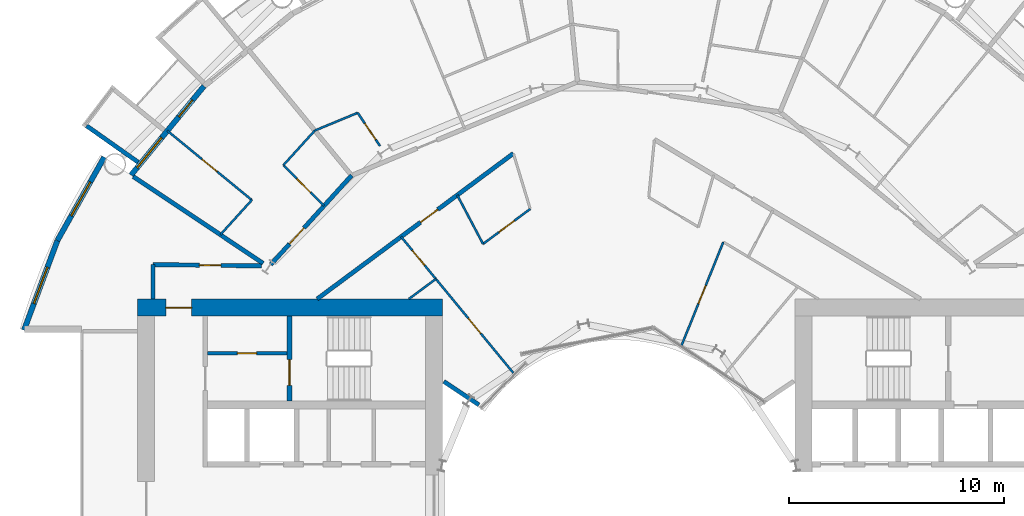
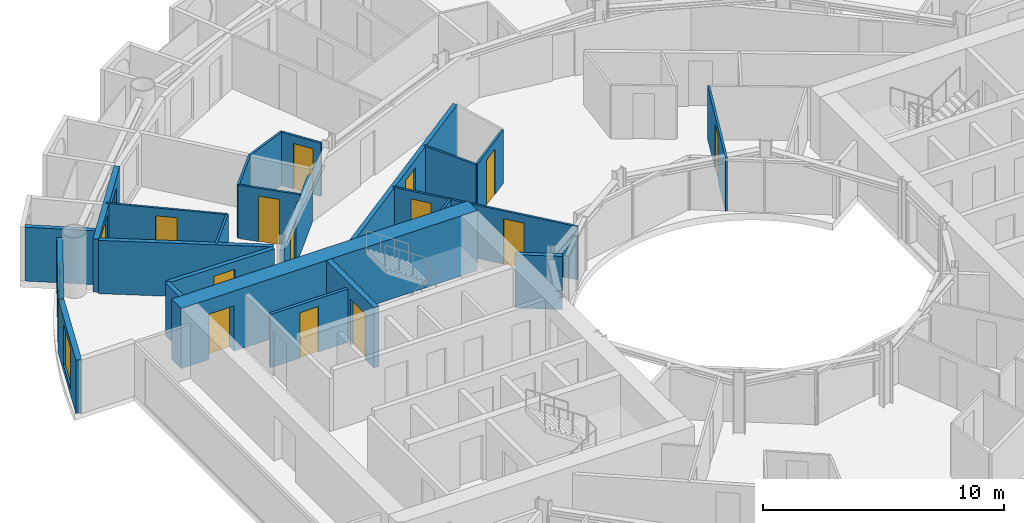
# One storey, part 18 of 26: 24 walls, 14 doors, 3 windows, 17 openings.
"""IFC4 building model written with IfcOpenShell, lengths in metres."""

from ifc_helpers import new_model, si_unit, direction, frame, frame_2d, origin, place, context, subcontext, project, spatial, rectangle, extrude, material, layer, layer_set, type_object, element, fill, save


model = new_model("IFC4")

# Units and contexts
model_context = context("Model", 3, precision=1e-05, world=origin(), true_north=direction((0.0, 1.0)))
body_context = subcontext(model_context, "Body", "Model", "MODEL_VIEW")
ifc_project = project(units=[si_unit("LENGTHUNIT", "METRE"), si_unit("AREAUNIT", "SQUARE_METRE"), si_unit("VOLUMEUNIT", "CUBIC_METRE"), si_unit("PLANEANGLEUNIT", "RADIAN"), si_unit("MASSUNIT", "GRAM", prefix="KILO")], contexts=[model_context])

# Site, building, storey
site_placement = place(None, origin())
site = spatial("IfcSite", under=ifc_project, at=site_placement, CompositionType="ELEMENT")
building_placement = place(site_placement, origin())
building = spatial("IfcBuilding", under=site, at=building_placement, Name="Maasbend Ring Residences", CompositionType="ELEMENT")
storey_placement = place(building_placement, frame((0.0, 0.0, 50.25)))
storey = spatial("IfcBuildingStorey", under=building, at=storey_placement, Name="L14", CompositionType="ELEMENT", Elevation=50.25)

# Wall, opening, door
ifc_material_1 = material(Name="Concrete C70/85", Category="concrete")
ifc_layer_1 = layer(ifc_material_1, 0.25)
ifc_layer_set_1 = layer_set([ifc_layer_1], Name="Concrete C70/85")
wall_type_1 = type_object("IfcWallType", Name="CORE WALL 250 C70/85", PredefinedType="SHEAR", material=ifc_layer_set_1)
wall_1_placement = place(storey_placement, frame((-15.324951171875, 8.60009765625, 0.0), z_axis=(0.0, 0.0, 1.0), x_axis=(0.0, -1.0, 0.0)))
wall_1 = element("IfcWall", 1, at=wall_1_placement, inside=storey, type_object=wall_type_1, Name="L14 core W wall STES", PredefinedType="SHEAR", context=body_context, shape_type="SweptSolid", body=[
    extrude(rectangle(XDim=3.9501953125, YDim=0.25, at=frame_2d((1.97509765625, 0.0))), origin(), (0.0, 0.0, 1.0), 3.050048828125),
])
opening_1_placement = place(wall_1_placement, frame((2.02490234375, 0.0, 0.0)))
opening_1 = element("IfcOpeningElement", 2, at=opening_1_placement, cuts=wall_1, Name="Opening D-W1411", PredefinedType="OPENING", context=body_context, shape_type="SweptSolid", body=[
    extrude(rectangle(XDim=1.199951171875, YDim=2.300048828125, at=frame_2d((0.60009765625, 1.14990234375))), frame((0.0, 0.135009765625, 0.0), z_axis=(0.0, -1.0, 0.0), x_axis=(1.0, 0.0, 0.0)), (0.0, 0.0, 1.0), 0.27001953125),
])
ifc_material_2 = material(Name="Steel, powder coated", Category="steel")
door_type_1 = type_object("IfcDoorType", Name="STAIR DOOR 1200 X 2300 FD60", OperationType="NOTDEFINED", PredefinedType="DOOR", material=ifc_material_2)
door_1_placement = place(opening_1_placement, origin())
door_1 = element("IfcDoor", 3, at=door_1_placement, inside=storey, type_object=door_type_1, Name="Stair door ST-W L14", OperationType="SINGLE_SWING_LEFT", OverallHeight=2.300048828125, OverallWidth=1.199951171875, PredefinedType="DOOR", context=body_context, shape_type="SweptSolid", body=[
    extrude(rectangle(XDim=1.199951171875, YDim=2.300048828125, at=frame_2d((0.60009765625, 1.14990234375))), frame((0.0, 0.02490234375, 0.0), z_axis=(0.0, -1.0, 0.0), x_axis=(1.0, 0.0, 0.0)), (0.0, 0.0, 1.0), 0.050048828125),
])
fill(opening_1, door_1)

ifc_material_3 = material(Name="Concrete C70/85", Category="concrete")
ifc_layer_2 = layer(ifc_material_3, 0.800048828125)
ifc_layer_set_2 = layer_set([ifc_layer_2], Name="Concrete C70/85")
wall_type_2 = type_object("IfcWallType", Name="CORE WALL 800 C70/85", PredefinedType="SHEAR", material=ifc_layer_set_2)
wall_2_placement = place(storey_placement, frame((-8.199951171875, 9.0, 0.0), z_axis=(0.0, 0.0, 1.0), x_axis=(-1.0, 0.0, 0.0)))
wall_2 = element("IfcWall", 4, at=wall_2_placement, inside=storey, type_object=wall_type_2, Name="L14 core W wall PS", PredefinedType="SHEAR", context=body_context, shape_type="SweptSolid", body=[
    extrude(rectangle(XDim=14.199951171875, YDim=0.800048828125, at=frame_2d((7.10009765625, 0.0))), origin(), (0.0, 0.0, 1.0), 3.050048828125),
])
opening_2_placement = place(wall_2_placement, frame((11.675048828125, 0.0, 0.0)))
opening_2 = element("IfcOpeningElement", 5, at=opening_2_placement, cuts=wall_2, Name="Opening D-W1415", PredefinedType="OPENING", context=body_context, shape_type="SweptSolid", body=[
    extrude(rectangle(XDim=1.199951171875, YDim=2.300048828125, at=frame_2d((0.60009765625, 1.14990234375))), frame((0.0, 0.41015625, 0.0), z_axis=(0.0, -1.0, 0.0), x_axis=(1.0, 0.0, 0.0)), (0.0, 0.0, 1.0), 0.820068359375),
])
ifc_material_4 = material(Name="Steel, powder coated", Category="steel")
door_type_2 = type_object("IfcDoorType", Name="CORRIDOR DOOR 1200 X 2300 FD30S", OperationType="NOTDEFINED", PredefinedType="DOOR", material=ifc_material_4)
door_2_placement = place(opening_2_placement, origin())
door_2 = element("IfcDoor", 6, at=door_2_placement, inside=storey, type_object=door_type_2, Name="Corridor door L14", OperationType="SINGLE_SWING_LEFT", OverallHeight=2.300048828125, OverallWidth=1.199951171875, PredefinedType="DOOR", context=body_context, shape_type="SweptSolid", body=[
    extrude(rectangle(XDim=1.199951171875, YDim=2.300048828125, at=frame_2d((0.60009765625, 1.14990234375))), frame((0.0, 0.02490234375, 0.0), z_axis=(0.0, -1.0, 0.0), x_axis=(1.0, 0.0, 0.0)), (0.0, 0.0, 1.0), 0.050048828125),
])
fill(opening_2, door_2)

ifc_material_5 = material(Name="Concrete C30/37", Category="concrete")
ifc_layer_3 = layer(ifc_material_5, 0.199951171875)
ifc_layer_set_3 = layer_set([ifc_layer_3], Name="Concrete C30/37")
wall_type_3 = type_object("IfcWallType", Name="CORRIDOR WALL 200 CONCRETE", PredefinedType="PARTITIONING", material=ifc_layer_set_3)
wall_3_placement = place(storey_placement, frame((-21.675048828125, 11.0, 0.0), z_axis=(0.0, 0.0, 1.0), x_axis=(0.99992425795, -0.012307654658, 0.0)))
wall_3 = element("IfcWall", 7, at=wall_3_placement, inside=storey, type_object=wall_type_3, Name="U-L14-w084", PredefinedType="PARTITIONING", context=body_context, shape_type="SweptSolid", body=[
    extrude(rectangle(XDim=5.03857421875, YDim=0.199951171875, at=frame_2d((2.519287109375, 0.0))), origin(), (0.0, 0.0, 1.0), 2.699951171875),
])
opening_3_placement = place(wall_3_placement, frame((2.155029296875, 0.0, 0.0)))
opening_3 = element("IfcOpeningElement", 8, at=opening_3_placement, cuts=wall_3, Name="Opening D-1460", PredefinedType="OPENING", context=body_context, shape_type="SweptSolid", body=[
    extrude(rectangle(XDim=1.0, YDim=2.300048828125, at=frame_2d((0.5, 1.14990234375))), frame((0.0, 0.10986328125, 0.0), z_axis=(0.0, -1.0, 0.0), x_axis=(1.0, 0.0, 0.0)), (0.0, 0.0, 1.0), 0.219970703125),
])
ifc_material_6 = material(Name="Timber, painted", Category="wood")
door_type_3 = type_object("IfcDoorType", Name="ROOM DOOR 1000 X 2300", OperationType="NOTDEFINED", PredefinedType="DOOR", material=ifc_material_6)
door_3_placement = place(opening_3_placement, origin())
door_3 = element("IfcDoor", 9, at=door_3_placement, inside=storey, type_object=door_type_3, Name="D-1460", OperationType="SINGLE_SWING_RIGHT", OverallHeight=2.300048828125, OverallWidth=1.0, PredefinedType="DOOR", context=body_context, shape_type="SweptSolid", body=[
    extrude(rectangle(XDim=1.0, YDim=2.300048828125, at=frame_2d((0.5, 1.14990234375))), frame((0.0, 0.02490234375, 0.0), z_axis=(0.0, -1.0, 0.0), x_axis=(1.0, 0.0, 0.0)), (0.0, 0.0, 1.0), 0.050048828125),
])
fill(opening_3, door_3)

wall_4_placement = place(storey_placement, frame((-14.037109375, 9.39990234375, 0.0), z_axis=(0.0, 0.0, 1.0), x_axis=(0.803202106898, 0.595706618626, 0.0)))
wall_4 = element("IfcWall", 10, at=wall_4_placement, inside=storey, type_object=wall_type_3, Name="U-L14-w091", PredefinedType="PARTITIONING", context=body_context, shape_type="SweptSolid", body=[
    extrude(rectangle(XDim=11.368408203125, YDim=0.199951171875, at=frame_2d((5.68408203125, 0.0))), origin(), (0.0, 0.0, 1.0), 2.699951171875),
])
opening_4_placement = place(wall_4_placement, frame((5.988037109375, 0.0, 0.0)))
opening_4 = element("IfcOpeningElement", 11, at=opening_4_placement, cuts=wall_4, Name="Opening D-1426", PredefinedType="OPENING", context=body_context, shape_type="SweptSolid", body=[
    extrude(rectangle(XDim=1.0, YDim=2.300048828125, at=frame_2d((0.5, 1.14990234375))), frame((0.0, 0.10986328125, 0.0), z_axis=(0.0, -1.0, 0.0), x_axis=(1.0, 0.0, 0.0)), (0.0, 0.0, 1.0), 0.219970703125),
])
ifc_material_7 = material(Name="Timber, fire-rated, painted", Category="wood")
door_type_4 = type_object("IfcDoorType", Name="FLAT ENTRANCE DOOR 1000 X 2300 FIRE-RATED", OperationType="NOTDEFINED", PredefinedType="DOOR", material=ifc_material_7)
door_4_placement = place(opening_4_placement, origin())
door_4 = element("IfcDoor", 12, at=door_4_placement, inside=storey, type_object=door_type_4, Name="D-1426", OperationType="SINGLE_SWING_RIGHT", OverallHeight=2.300048828125, OverallWidth=1.0, PredefinedType="DOOR", context=body_context, shape_type="SweptSolid", body=[
    extrude(rectangle(XDim=1.0, YDim=2.300048828125, at=frame_2d((0.5, 1.14990234375))), frame((0.0, 0.02490234375, 0.0), z_axis=(0.0, -1.0, 0.0), x_axis=(1.0, 0.0, 0.0)), (0.0, 0.0, 1.0), 0.050048828125),
])
fill(opening_4, door_4)

wall_5_placement = place(storey_placement, frame((-16.193115234375, 11.0029296875, 0.0), z_axis=(0.0, 0.0, 1.0), x_axis=(0.671514934772, 0.740991020444, 0.0)))
wall_5 = element("IfcWall", 13, at=wall_5_placement, inside=storey, type_object=wall_type_3, Name="U-L14-w095", PredefinedType="PARTITIONING", context=body_context, shape_type="SweptSolid", body=[
    extrude(rectangle(XDim=5.597900390625, YDim=0.199951171875, at=frame_2d((2.798828125, 0.0))), origin(), (0.0, 0.0, 1.0), 2.3798828125),
])
opening_5_placement = place(wall_5_placement, frame((1.29296875, 0.0, 0.0)))
opening_5 = element("IfcOpeningElement", 14, at=opening_5_placement, cuts=wall_5, Name="Opening D-1418", PredefinedType="OPENING", context=body_context, shape_type="SweptSolid", body=[
    extrude(rectangle(XDim=1.0, YDim=2.300048828125, at=frame_2d((0.5, 1.14990234375))), frame((0.0, 0.10986328125, 0.0), z_axis=(0.0, -1.0, 0.0), x_axis=(1.0, 0.0, 0.0)), (0.0, 0.0, 1.0), 0.219970703125),
])
door_5_placement = place(opening_5_placement, origin())
door_5 = element("IfcDoor", 15, at=door_5_placement, inside=storey, type_object=door_type_4, Name="D-1418", OperationType="SINGLE_SWING_LEFT", OverallHeight=2.300048828125, OverallWidth=1.0, PredefinedType="DOOR", context=body_context, shape_type="SweptSolid", body=[
    extrude(rectangle(XDim=1.0, YDim=2.300048828125, at=frame_2d((0.5, 1.14990234375))), frame((0.0, 0.02490234375, 0.0), z_axis=(0.0, -1.0, 0.0), x_axis=(1.0, 0.0, 0.0)), (0.0, 0.0, 1.0), 0.050048828125),
])
fill(opening_5, door_5)

# Walls
wall_6_placement = place(storey_placement, frame((-21.675048828125, 9.39990234375, 0.0), z_axis=(0.0, 0.0, 1.0), x_axis=(0.0, 1.0, 0.0)))
element("IfcWall", 16, at=wall_6_placement, inside=storey, type_object=wall_type_3, Name="U-L14-w103", PredefinedType="PARTITIONING", context=body_context, shape_type="SweptSolid", body=[
    extrude(rectangle(XDim=1.60009765625, YDim=0.199951171875, at=frame_2d((0.800048828125, 0.0))), origin(), (0.0, 0.0, 1.0), 2.699951171875),
])
ifc_material_8 = material(Name="Pale anodised aluminium panel", Category="aluminium")
ifc_layer_4 = layer(ifc_material_8, 0.199951171875)
ifc_layer_set_4 = layer_set([ifc_layer_4], Name="EW-BOX")
wall_type_4 = type_object("IfcWallType", Name="EW-BOX", PredefinedType="SOLIDWALL", material=ifc_layer_set_4)
wall_7_placement = place(storey_placement, frame((-22.3701171875, 15.764892578125, -0.030029296875), z_axis=(0.0, 0.0, 1.0), x_axis=(-0.817256123454, 0.576274612209, 0.0)))
element("IfcWall", 17, at=wall_7_placement, inside=storey, type_object=wall_type_4, Name="Box side wall N20 right", PredefinedType="SOLIDWALL", context=body_context, shape_type="SweptSolid", body=[
    extrude(rectangle(XDim=2.932861328125, YDim=0.199951171875, at=frame_2d((1.46630859375, 0.0))), origin(), (0.0, 0.0, 1.0), 2.72998046875),
])

# Wall, openings, door, window
ifc_material_9 = material(Name="Aluminium clad insulated panel", Category="aluminium")
ifc_layer_5 = layer(ifc_material_9, 0.25)
ifc_layer_set_5 = layer_set([ifc_layer_5], Name="EW-GL")
wall_type_5 = type_object("IfcWallType", Name="EW-GL", PredefinedType="SOLIDWALL", material=ifc_layer_set_5)
wall_8_placement = place(storey_placement, frame((-19.303955078125, 19.303955078125, 0.0), z_axis=(0.0, 0.0, 1.0), x_axis=(-0.634382322723, -0.773019449054, 0.0)))
wall_8 = element("IfcWall", 18, at=wall_8_placement, inside=storey, type_object=wall_type_5, Name="External wall N10", PredefinedType="SOLIDWALL", context=body_context, shape_type="SweptSolid", body=[
    extrude(rectangle(XDim=5.351806640625, YDim=0.25, at=frame_2d((2.67578125, 0.0))), origin(), (0.0, 0.0, 1.0), 2.699951171875),
])
opening_6_placement = place(wall_8_placement, frame((0.841064453125, 0.0, 0.0)))
opening_6 = element("IfcOpeningElement", 19, at=opening_6_placement, cuts=wall_8, Name="Opening D-LG", PredefinedType="OPENING", context=body_context, shape_type="SweptSolid", body=[
    extrude(rectangle(XDim=1.0, YDim=2.199951171875, at=frame_2d((0.5, 1.10009765625))), frame((0.0, 0.135009765625, 0.0), z_axis=(0.0, -1.0, 0.0), x_axis=(1.0, 0.0, 0.0)), (0.0, 0.0, 1.0), 0.27001953125),
])
opening_7_placement = place(wall_8_placement, frame((3.110595703125, 0.0, 0.300048828125)))
opening_7 = element("IfcOpeningElement", 20, at=opening_7_placement, cuts=wall_8, Name="Opening W-BX", PredefinedType="OPENING", context=body_context, shape_type="SweptSolid", body=[
    extrude(rectangle(XDim=1.800048828125, YDim=2.10009765625, at=frame_2d((0.89990234375, 1.050048828125))), frame((0.0, 0.135009765625, 0.0), z_axis=(0.0, -1.0, 0.0), x_axis=(1.0, 0.0, 0.0)), (0.0, 0.0, 1.0), 0.27001953125),
])
ifc_material_10 = material(Name="Aluminium and clear glass", Category="aluminium")
door_type_5 = type_object("IfcDoorType", Name="D-LG", OperationType="SINGLE_SWING_LEFT", PredefinedType="DOOR", material=ifc_material_10)
door_6_placement = place(opening_6_placement, origin())
door_6 = element("IfcDoor", 21, at=door_6_placement, inside=storey, type_object=door_type_5, Name="Loggia door N19", OperationType="SINGLE_SWING_LEFT", OverallHeight=2.199951171875, OverallWidth=1.0, PredefinedType="DOOR", context=body_context, shape_type="SweptSolid", body=[
    extrude(rectangle(XDim=1.0, YDim=2.199951171875, at=frame_2d((0.5, 1.10009765625))), frame((0.0, 0.02490234375, 0.0), z_axis=(0.0, -1.0, 0.0), x_axis=(1.0, 0.0, 0.0)), (0.0, 0.0, 1.0), 0.050048828125),
])
fill(opening_6, door_6)
ifc_material_11 = material(Name="Aluminium and clear glass", Category="aluminium")
window_type = type_object("IfcWindowType", Name="W-BX", PartitioningType="DOUBLE_PANEL_VERTICAL", PredefinedType="WINDOW", material=ifc_material_11)
window_1_placement = place(opening_7_placement, origin())
window_1 = element("IfcWindow", 22, at=window_1_placement, inside=storey, type_object=window_type, Name="Window N20 room to box", OverallHeight=2.10009765625, OverallWidth=1.800048828125, PartitioningType="SINGLE_PANEL", PredefinedType="WINDOW", context=body_context, shape_type="SweptSolid", body=[
    extrude(rectangle(XDim=1.800048828125, YDim=2.10009765625, at=frame_2d((0.89990234375, 1.050048828125))), frame((0.0, 0.030029296875, 0.0), z_axis=(0.0, -1.0, 0.0), x_axis=(1.0, 0.0, 0.0)), (0.0, 0.0, 1.0), 0.06005859375),
])
fill(opening_7, window_1)

# Wall, opening, window
ifc_material_12 = material(Name="Aluminium clad insulated panel", Category="aluminium")
ifc_layer_6 = layer(ifc_material_12, 0.25)
ifc_layer_set_6 = layer_set([ifc_layer_6], Name="EW-HORN")
wall_type_6 = type_object("IfcWallType", Name="EW-HORN", PredefinedType="SOLIDWALL", material=ifc_layer_set_6)
wall_9_placement = place(storey_placement, frame((-23.946044921875, 16.0, 0.0), z_axis=(0.0, 0.0, 1.0), x_axis=(-0.489696356642, -0.871893042919, 0.0)))
wall_9 = element("IfcWall", 23, at=wall_9_placement, inside=storey, type_object=wall_type_6, Name="Horn wall 4.1", PredefinedType="SOLIDWALL", context=body_context, shape_type="SweptSolid", body=[
    extrude(rectangle(XDim=4.45361328125, YDim=0.25, at=frame_2d((2.226806640625, 0.0))), origin(), (0.0, 0.0, 1.0), 2.699951171875),
])
opening_8_placement = place(wall_9_placement, frame((1.32666015625, 0.0, 0.300048828125)))
opening_8 = element("IfcOpeningElement", 24, at=opening_8_placement, cuts=wall_9, Name="Opening W-BX", PredefinedType="OPENING", context=body_context, shape_type="SweptSolid", body=[
    extrude(rectangle(XDim=1.800048828125, YDim=2.10009765625, at=frame_2d((0.89990234375, 1.050048828125))), frame((0.0, 0.135009765625, 0.0), z_axis=(0.0, -1.0, 0.0), x_axis=(1.0, 0.0, 0.0)), (0.0, 0.0, 1.0), 0.27001953125),
])
window_2_placement = place(opening_8_placement, origin())
window_2 = element("IfcWindow", 25, at=window_2_placement, inside=storey, type_object=window_type, Name="Horn window 4.1", OverallHeight=2.10009765625, OverallWidth=1.800048828125, PartitioningType="SINGLE_PANEL", PredefinedType="WINDOW", context=body_context, shape_type="SweptSolid", body=[
    extrude(rectangle(XDim=1.800048828125, YDim=2.10009765625, at=frame_2d((0.89990234375, 1.050048828125))), frame((0.0, 0.030029296875, 0.0), z_axis=(0.0, -1.0, 0.0), x_axis=(1.0, 0.0, 0.0)), (0.0, 0.0, 1.0), 0.06005859375),
])
fill(opening_8, window_2)

wall_10_placement = place(storey_placement, frame((-26.126953125, 12.116943359375, 0.0), z_axis=(0.0, 0.0, 1.0), x_axis=(-0.349247811493, -0.937030397675, 0.0)))
wall_10 = element("IfcWall", 26, at=wall_10_placement, inside=storey, type_object=wall_type_6, Name="Horn wall 4.2", PredefinedType="SOLIDWALL", context=body_context, shape_type="SweptSolid", body=[
    extrude(rectangle(XDim=4.4521484375, YDim=0.25, at=frame_2d((2.22607421875, 0.0))), origin(), (0.0, 0.0, 1.0), 2.699951171875),
])
opening_9_placement = place(wall_10_placement, frame((1.32666015625, 0.0, 0.300048828125)))
opening_9 = element("IfcOpeningElement", 27, at=opening_9_placement, cuts=wall_10, Name="Opening W-BX", PredefinedType="OPENING", context=body_context, shape_type="SweptSolid", body=[
    extrude(rectangle(XDim=1.800048828125, YDim=2.10009765625, at=frame_2d((0.89990234375, 1.050048828125))), frame((0.0, 0.135009765625, 0.0), z_axis=(0.0, -1.0, 0.0), x_axis=(1.0, 0.0, 0.0)), (0.0, 0.0, 1.0), 0.27001953125),
])
window_3_placement = place(opening_9_placement, origin())
window_3 = element("IfcWindow", 28, at=window_3_placement, inside=storey, type_object=window_type, Name="Horn window 4.2", OverallHeight=2.10009765625, OverallWidth=1.800048828125, PartitioningType="SINGLE_PANEL", PredefinedType="WINDOW", context=body_context, shape_type="SweptSolid", body=[
    extrude(rectangle(XDim=1.800048828125, YDim=2.10009765625, at=frame_2d((0.89990234375, 1.050048828125))), frame((0.0, 0.030029296875, 0.0), z_axis=(0.0, -1.0, 0.0), x_axis=(1.0, 0.0, 0.0)), (0.0, 0.0, 1.0), 0.06005859375),
])
fill(opening_9, window_3)

# Wall, opening, door
ifc_material_13 = material(Name="Gypsum board on steel studs", Category="steel")
ifc_layer_7 = layer(ifc_material_13, 0.10009765625)
ifc_layer_set_7 = layer_set([ifc_layer_7], Name="PARTITION 100 GYPSUM")
wall_type_7 = type_object("IfcWallType", Name="PARTITION 100 GYPSUM", PredefinedType="PARTITIONING", material=ifc_layer_set_7)
wall_11_placement = place(storey_placement, frame((-21.013916015625, 17.23095703125, 0.0), z_axis=(0.0, 0.0, 1.0), x_axis=(0.773219330916, -0.634138680651, 0.0)))
wall_11 = element("IfcWall", 29, at=wall_11_placement, inside=storey, type_object=wall_type_7, Name="U-L14-w034", PredefinedType="PARTITIONING", context=body_context, shape_type="SweptSolid", body=[
    extrude(rectangle(XDim=5.0888671875, YDim=0.10009765625, at=frame_2d((2.54443359375, 0.0))), origin(), (0.0, 0.0, 1.0), 2.699951171875),
])
opening_10_placement = place(wall_11_placement, frame((2.094970703125, 0.0, 0.0)))
opening_10 = element("IfcOpeningElement", 30, at=opening_10_placement, cuts=wall_11, Name="Opening D-1420", PredefinedType="OPENING", context=body_context, shape_type="SweptSolid", body=[
    extrude(rectangle(XDim=0.89990234375, YDim=2.300048828125, at=frame_2d((0.449951171875, 1.14990234375))), frame((0.0, 0.06005859375, 0.0), z_axis=(0.0, -1.0, 0.0), x_axis=(1.0, 0.0, 0.0)), (0.0, 0.0, 1.0), 0.1201171875),
])
ifc_material_14 = material(Name="Timber, painted", Category="wood")
door_type_6 = type_object("IfcDoorType", Name="INTERNAL DOOR 900 X 2300", OperationType="NOTDEFINED", PredefinedType="DOOR", material=ifc_material_14)
door_7_placement = place(opening_10_placement, origin())
door_7 = element("IfcDoor", 31, at=door_7_placement, inside=storey, type_object=door_type_6, Name="D-1420", OperationType="SINGLE_SWING_RIGHT", OverallHeight=2.300048828125, OverallWidth=0.89990234375, PredefinedType="DOOR", context=body_context, shape_type="SweptSolid", body=[
    extrude(rectangle(XDim=0.89990234375, YDim=2.300048828125, at=frame_2d((0.449951171875, 1.14990234375))), frame((0.0, 0.02490234375, 0.0), z_axis=(0.0, -1.0, 0.0), x_axis=(1.0, 0.0, 0.0)), (0.0, 0.0, 1.0), 0.050048828125),
])
fill(opening_10, door_7)

wall_12_placement = place(storey_placement, frame((-15.612060546875, 15.6220703125, 0.0), z_axis=(0.0, 0.0, 1.0), x_axis=(0.706741540154, -0.707471833659, 0.0)))
wall_12 = element("IfcWall", 32, at=wall_12_placement, inside=storey, type_object=wall_type_7, Name="U-L14-w039", PredefinedType="PARTITIONING", context=body_context, shape_type="SweptSolid", body=[
    extrude(rectangle(XDim=2.67431640625, YDim=0.10009765625, at=frame_2d((1.337158203125, 0.0))), origin(), (0.0, 0.0, 1.0), 2.699951171875),
])
opening_11_placement = place(wall_12_placement, frame((0.886962890625, 0.0, 0.0)))
opening_11 = element("IfcOpeningElement", 33, at=opening_11_placement, cuts=wall_12, Name="Opening D-1419", PredefinedType="OPENING", context=body_context, shape_type="SweptSolid", body=[
    extrude(rectangle(XDim=0.89990234375, YDim=2.300048828125, at=frame_2d((0.449951171875, 1.14990234375))), frame((0.0, 0.06005859375, 0.0), z_axis=(0.0, -1.0, 0.0), x_axis=(1.0, 0.0, 0.0)), (0.0, 0.0, 1.0), 0.1201171875),
])
door_8_placement = place(opening_11_placement, origin())
door_8 = element("IfcDoor", 34, at=door_8_placement, inside=storey, type_object=door_type_6, Name="D-1419", OperationType="SINGLE_SWING_RIGHT", OverallHeight=2.300048828125, OverallWidth=0.89990234375, PredefinedType="DOOR", context=body_context, shape_type="SweptSolid", body=[
    extrude(rectangle(XDim=0.89990234375, YDim=2.300048828125, at=frame_2d((0.449951171875, 1.14990234375))), frame((0.0, 0.02490234375, 0.0), z_axis=(0.0, -1.0, 0.0), x_axis=(1.0, 0.0, 0.0)), (0.0, 0.0, 1.0), 0.050048828125),
])
fill(opening_11, door_8)

wall_13_placement = place(storey_placement, frame((-12.153076171875, 18.06396484375, 0.0), z_axis=(0.0, 0.0, 1.0), x_axis=(0.558084773293, -0.829783939239, 0.0)))
wall_13 = element("IfcWall", 35, at=wall_13_placement, inside=storey, type_object=wall_type_7, Name="U-L14-w041", PredefinedType="PARTITIONING", context=body_context, shape_type="SweptSolid", body=[
    extrude(rectangle(XDim=1.86181640625, YDim=0.10009765625, at=frame_2d((0.930908203125, 0.0))), origin(), (0.0, 0.0, 1.0), 2.699951171875),
])
opening_12_placement = place(wall_13_placement, frame((0.60009765625, 0.0, 0.0)))
opening_12 = element("IfcOpeningElement", 36, at=opening_12_placement, cuts=wall_13, Name="Opening D-1413", PredefinedType="OPENING", context=body_context, shape_type="SweptSolid", body=[
    extrude(rectangle(XDim=0.89990234375, YDim=2.300048828125, at=frame_2d((0.449951171875, 1.14990234375))), frame((0.0, 0.06005859375, 0.0), z_axis=(0.0, -1.0, 0.0), x_axis=(1.0, 0.0, 0.0)), (0.0, 0.0, 1.0), 0.1201171875),
])
door_9_placement = place(opening_12_placement, origin())
door_9 = element("IfcDoor", 37, at=door_9_placement, inside=storey, type_object=door_type_6, Name="D-1413", OperationType="SINGLE_SWING_RIGHT", OverallHeight=2.300048828125, OverallWidth=0.89990234375, PredefinedType="DOOR", context=body_context, shape_type="SweptSolid", body=[
    extrude(rectangle(XDim=0.89990234375, YDim=2.300048828125, at=frame_2d((0.449951171875, 1.14990234375))), frame((0.0, 0.02490234375, 0.0), z_axis=(0.0, -1.0, 0.0), x_axis=(1.0, 0.0, 0.0)), (0.0, 0.0, 1.0), 0.050048828125),
])
fill(opening_12, door_9)

# Wall, openings, doors
wall_14_placement = place(storey_placement, frame((-10.132080078125, 12.2958984375, 0.0), z_axis=(0.0, 0.0, 1.0), x_axis=(0.635976043025, -0.771708800454, 0.0)))
wall_14 = element("IfcWall", 38, at=wall_14_placement, inside=storey, type_object=wall_type_7, Name="U-L14-w044", PredefinedType="PARTITIONING", context=body_context, shape_type="SweptSolid", body=[
    extrude(rectangle(XDim=8.212890625, YDim=0.10009765625, at=frame_2d((4.1064453125, 0.0))), origin(), (0.0, 0.0, 1.0), 2.699951171875),
])
opening_13_placement = place(wall_14_placement, frame((0.822998046875, 0.0, 0.0)))
opening_13 = element("IfcOpeningElement", 39, at=opening_13_placement, cuts=wall_14, Name="Opening D-1428", PredefinedType="OPENING", context=body_context, shape_type="SweptSolid", body=[
    extrude(rectangle(XDim=0.89990234375, YDim=2.300048828125, at=frame_2d((0.449951171875, 1.14990234375))), frame((0.0, 0.06005859375, 0.0), z_axis=(0.0, -1.0, 0.0), x_axis=(1.0, 0.0, 0.0)), (0.0, 0.0, 1.0), 0.1201171875),
])
opening_14_placement = place(wall_14_placement, frame((4.928955078125, 0.0, 0.0)))
opening_14 = element("IfcOpeningElement", 40, at=opening_14_placement, cuts=wall_14, Name="Opening D-1429", PredefinedType="OPENING", context=body_context, shape_type="SweptSolid", body=[
    extrude(rectangle(XDim=0.89990234375, YDim=2.300048828125, at=frame_2d((0.449951171875, 1.14990234375))), frame((0.0, 0.06005859375, 0.0), z_axis=(0.0, -1.0, 0.0), x_axis=(1.0, 0.0, 0.0)), (0.0, 0.0, 1.0), 0.1201171875),
])
door_10_placement = place(opening_13_placement, origin())
door_10 = element("IfcDoor", 41, at=door_10_placement, inside=storey, type_object=door_type_6, Name="D-1428", OperationType="SINGLE_SWING_LEFT", OverallHeight=2.300048828125, OverallWidth=0.89990234375, PredefinedType="DOOR", context=body_context, shape_type="SweptSolid", body=[
    extrude(rectangle(XDim=0.89990234375, YDim=2.300048828125, at=frame_2d((0.449951171875, 1.14990234375))), frame((0.0, 0.02490234375, 0.0), z_axis=(0.0, -1.0, 0.0), x_axis=(1.0, 0.0, 0.0)), (0.0, 0.0, 1.0), 0.050048828125),
])
fill(opening_13, door_10)
door_11_placement = place(opening_14_placement, origin())
door_11 = element("IfcDoor", 42, at=door_11_placement, inside=storey, type_object=door_type_6, Name="D-1429", OperationType="SINGLE_SWING_RIGHT", OverallHeight=2.300048828125, OverallWidth=0.89990234375, PredefinedType="DOOR", context=body_context, shape_type="SweptSolid", body=[
    extrude(rectangle(XDim=0.89990234375, YDim=2.300048828125, at=frame_2d((0.449951171875, 1.14990234375))), frame((0.0, 0.02490234375, 0.0), z_axis=(0.0, -1.0, 0.0), x_axis=(1.0, 0.0, 0.0)), (0.0, 0.0, 1.0), 0.050048828125),
])
fill(opening_14, door_11)

# Wall
wall_15_placement = place(storey_placement, frame((-7.51904296875, 14.23388671875, 0.0), z_axis=(0.0, 0.0, 1.0), x_axis=(0.467001992543, -0.884256263173, 0.0)))
element("IfcWall", 43, at=wall_15_placement, inside=storey, type_object=wall_type_7, Name="U-L14-w048", PredefinedType="PARTITIONING", context=body_context, shape_type="SweptSolid", body=[
    extrude(rectangle(XDim=2.571533203125, YDim=0.10009765625, at=frame_2d((1.28564453125, 0.0))), origin(), (0.0, 0.0, 1.0), 2.699951171875),
])

# Wall, opening, door
wall_16_placement = place(storey_placement, frame((2.888916015625, 7.158935546875, 0.0), z_axis=(0.0, 0.0, 1.0), x_axis=(0.374372761824, 0.927278294367, 0.0)))
wall_16 = element("IfcWall", 44, at=wall_16_placement, inside=storey, type_object=wall_type_7, Name="U-L14-w057", PredefinedType="PARTITIONING", context=body_context, shape_type="SweptSolid", body=[
    extrude(rectangle(XDim=5.275634765625, YDim=0.10009765625, at=frame_2d((2.6376953125, 0.0))), origin(), (0.0, 0.0, 1.0), 2.699951171875),
])
opening_15_placement = place(wall_16_placement, frame((2.18798828125, 0.0, 0.0)))
opening_15 = element("IfcOpeningElement", 45, at=opening_15_placement, cuts=wall_16, Name="Opening D-1424", PredefinedType="OPENING", context=body_context, shape_type="SweptSolid", body=[
    extrude(rectangle(XDim=0.89990234375, YDim=2.300048828125, at=frame_2d((0.449951171875, 1.14990234375))), frame((0.0, 0.06005859375, 0.0), z_axis=(0.0, -1.0, 0.0), x_axis=(1.0, 0.0, 0.0)), (0.0, 0.0, 1.0), 0.1201171875),
])
door_12_placement = place(opening_15_placement, origin())
door_12 = element("IfcDoor", 46, at=door_12_placement, inside=storey, type_object=door_type_6, Name="D-1424", OperationType="SINGLE_SWING_RIGHT", OverallHeight=2.300048828125, OverallWidth=0.89990234375, PredefinedType="DOOR", context=body_context, shape_type="SweptSolid", body=[
    extrude(rectangle(XDim=0.89990234375, YDim=2.300048828125, at=frame_2d((0.449951171875, 1.14990234375))), frame((0.0, 0.02490234375, 0.0), z_axis=(0.0, -1.0, 0.0), x_axis=(1.0, 0.0, 0.0)), (0.0, 0.0, 1.0), 0.050048828125),
])
fill(opening_15, door_12)

# Wall
wall_17_placement = place(storey_placement, frame((-9.77197265625, 9.39794921875, 0.0), z_axis=(0.0, 0.0, 1.0), x_axis=(0.803264156882, 0.595622946392, 0.0)))
element("IfcWall", 47, at=wall_17_placement, inside=storey, type_object=wall_type_7, Name="U-L14-w088", PredefinedType="PARTITIONING", context=body_context, shape_type="SweptSolid", body=[
    extrude(rectangle(XDim=1.56494140625, YDim=0.10009765625, at=frame_2d((0.782470703125, 0.0))), origin(), (0.0, 0.0, 1.0), 2.699951171875),
])

# Wall, opening, door
wall_18_placement = place(storey_placement, frame((-6.318115234375, 11.9599609375, 0.0), z_axis=(0.0, 0.0, 1.0), x_axis=(0.803128348509, 0.595806055542, 0.0)))
wall_18 = element("IfcWall", 48, at=wall_18_placement, inside=storey, type_object=wall_type_7, Name="U-L14-w089", PredefinedType="PARTITIONING", context=body_context, shape_type="SweptSolid", body=[
    extrude(rectangle(XDim=2.734375, YDim=0.10009765625, at=frame_2d((1.3671875, 0.0))), origin(), (0.0, 0.0, 1.0), 2.699951171875),
])
opening_16_placement = place(wall_18_placement, frame((0.9169921875, 0.0, 0.0)))
opening_16 = element("IfcOpeningElement", 49, at=opening_16_placement, cuts=wall_18, Name="Opening D-1427", PredefinedType="OPENING", context=body_context, shape_type="SweptSolid", body=[
    extrude(rectangle(XDim=0.89990234375, YDim=2.300048828125, at=frame_2d((0.449951171875, 1.14990234375))), frame((0.0, 0.06005859375, 0.0), z_axis=(0.0, -1.0, 0.0), x_axis=(1.0, 0.0, 0.0)), (0.0, 0.0, 1.0), 0.1201171875),
])
door_13_placement = place(opening_16_placement, origin())
door_13 = element("IfcDoor", 50, at=door_13_placement, inside=storey, type_object=door_type_6, Name="D-1427", OperationType="SINGLE_SWING_RIGHT", OverallHeight=2.300048828125, OverallWidth=0.89990234375, PredefinedType="DOOR", context=body_context, shape_type="SweptSolid", body=[
    extrude(rectangle(XDim=0.89990234375, YDim=2.300048828125, at=frame_2d((0.449951171875, 1.14990234375))), frame((0.0, 0.02490234375, 0.0), z_axis=(0.0, -1.0, 0.0), x_axis=(1.0, 0.0, 0.0)), (0.0, 0.0, 1.0), 0.050048828125),
])
fill(opening_16, door_13)

# Walls
wall_19_placement = place(storey_placement, frame((-14.14892578125, 17.236083984375, 0.0), z_axis=(0.0, 0.0, 1.0), x_axis=(0.923874819588, 0.382694810171, 0.0)))
element("IfcWall", 51, at=wall_19_placement, inside=storey, type_object=wall_type_7, Name="U-L14-w096", PredefinedType="PARTITIONING", context=body_context, shape_type="SweptSolid", body=[
    extrude(rectangle(XDim=2.158203125, YDim=0.10009765625, at=frame_2d((1.0791015625, 0.0))), origin(), (0.0, 0.0, 1.0), 2.699951171875),
])
for number, where, z_axis, x_axis, name in (
    (52, (-18.5380859375, 12.39404296875, 0.0), (0.0, 0.0, 1.0), (0.67169789574, 0.740825172937, 0.0), "U-L14-w104"),
    (53, (-15.613037109375, 15.62109375, 0.0), (0.0, 0.0, 1.0), (0.67169789574, 0.740825172937, 0.0), "U-L14-w105"),
):
    element("IfcWall", number, at=place(storey_placement, frame(where, z_axis=z_axis, x_axis=x_axis)), inside=storey, type_object=wall_type_7, Name=name, PredefinedType="PARTITIONING", context=body_context, shape_type="SweptSolid", body=[
        extrude(rectangle(XDim=2.1826171875, YDim=0.10009765625, at=frame_2d((1.09130859375, 0.0))), origin(), (0.0, 0.0, 1.0), 2.699951171875),
    ])

# Wall, opening, door
ifc_material_15 = material(Name="Gypsum board on steel studs", Category="steel")
ifc_layer_8 = layer(ifc_material_15, 0.14990234375)
ifc_layer_set_8 = layer_set([ifc_layer_8], Name="PARTITION 150 EI 60")
wall_type_8 = type_object("IfcWallType", Name="PARTITION 150 EI 60", PredefinedType="PARTITIONING", material=ifc_layer_set_8)
wall_20_placement = place(storey_placement, frame((-15.449951171875, 6.875, 0.0), z_axis=(0.0, 0.0, 1.0), x_axis=(-1.0, 0.0, 0.0)))
wall_20 = element("IfcWall", 54, at=wall_20_placement, inside=storey, type_object=wall_type_8, Name="L14 core W wall RHS", PredefinedType="PARTITIONING", context=body_context, shape_type="SweptSolid", body=[
    extrude(rectangle(XDim=3.699951171875, YDim=0.14990234375, at=frame_2d((1.85009765625, 0.0))), origin(), (0.0, 0.0, 1.0), 2.699951171875),
])
opening_17_placement = place(wall_20_placement, frame((1.39990234375, 0.0, 0.0)))
opening_17 = element("IfcOpeningElement", 55, at=opening_17_placement, cuts=wall_20, Name="Opening D-W1409", PredefinedType="OPENING", context=body_context, shape_type="SweptSolid", body=[
    extrude(rectangle(XDim=0.89990234375, YDim=2.300048828125, at=frame_2d((0.449951171875, 1.14990234375))), frame((0.0, 0.0849609375, 0.0), z_axis=(0.0, -1.0, 0.0), x_axis=(1.0, 0.0, 0.0)), (0.0, 0.0, 1.0), 0.169921875),
])
ifc_material_16 = material(Name="Steel, powder coated", Category="steel")
door_type_7 = type_object("IfcDoorType", Name="RISER DOOR 900 X 2300 FD60", OperationType="NOTDEFINED", PredefinedType="DOOR", material=ifc_material_16)
door_14_placement = place(opening_17_placement, origin())
door_14 = element("IfcDoor", 56, at=door_14_placement, inside=storey, type_object=door_type_7, Name="Riser door L14", OperationType="SINGLE_SWING_LEFT", OverallHeight=2.300048828125, OverallWidth=0.89990234375, PredefinedType="DOOR", context=body_context, shape_type="SweptSolid", body=[
    extrude(rectangle(XDim=0.89990234375, YDim=2.300048828125, at=frame_2d((0.449951171875, 1.14990234375))), frame((0.0, 0.02490234375, 0.0), z_axis=(0.0, -1.0, 0.0), x_axis=(1.0, 0.0, 0.0)), (0.0, 0.0, 1.0), 0.050048828125),
])
fill(opening_17, door_14)

# Walls
ifc_material_17 = material(Name="Concrete C30/37", Category="concrete")
ifc_layer_9 = layer(ifc_material_17, 0.199951171875)
ifc_layer_set_9 = layer_set([ifc_layer_9], Name="Concrete C30/37")
wall_type_9 = type_object("IfcWallType", Name="PARTY WALL 200 CONCRETE", PredefinedType="PARTITIONING", material=ifc_layer_set_9)
wall_21_placement = place(storey_placement, frame((-22.595947265625, 15.096923828125, 0.0), z_axis=(0.0, 0.0, 1.0), x_axis=(0.831507055747, -0.555514190857, 0.0)))
element("IfcWall", 57, at=wall_21_placement, inside=storey, type_object=wall_type_9, Name="U-L14-w032", PredefinedType="PARTITIONING", context=body_context, shape_type="SweptSolid", body=[
    extrude(rectangle(XDim=7.26513671875, YDim=0.199951171875, at=frame_2d((3.632568359375, 0.0))), origin(), (0.0, 0.0, 1.0), 2.699951171875),
])
wall_22_placement = place(storey_placement, frame((-6.512939453125, 4.471923828125, 0.0), z_axis=(0.0, 0.0, 1.0), x_axis=(-0.831417956244, 0.555647533996, 0.0)))
element("IfcWall", 58, at=wall_22_placement, inside=storey, type_object=wall_type_9, Name="U-L14-w082", PredefinedType="PARTITIONING", context=body_context, shape_type="SweptSolid", body=[
    extrude(rectangle(XDim=1.9619140625, YDim=0.199951171875, at=frame_2d((0.98095703125, 0.0))), origin(), (0.0, 0.0, 1.0), 2.699951171875),
])

save(model, "model.ifc")
